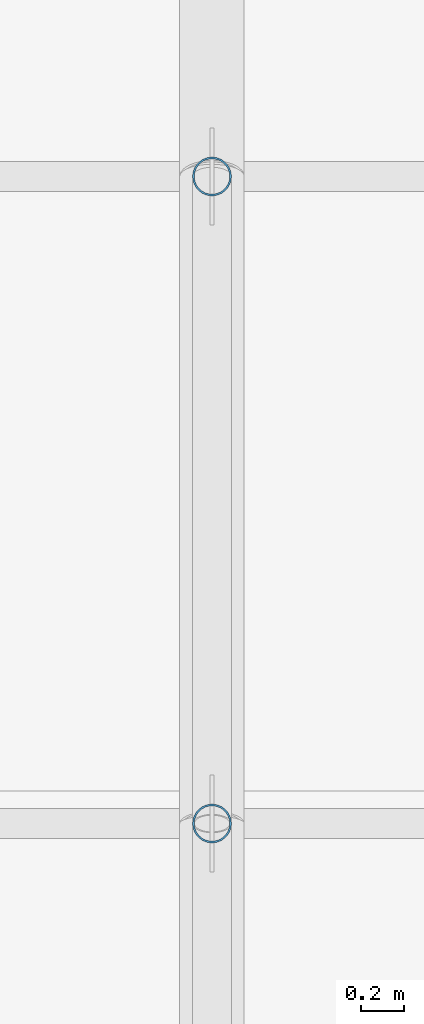
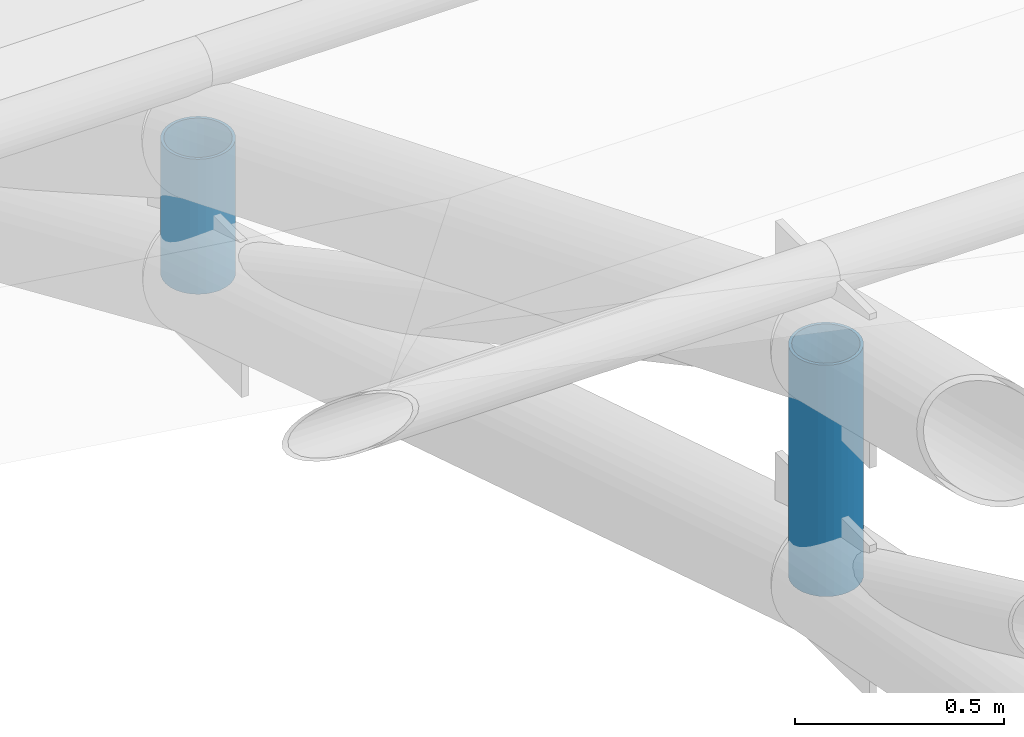
# One storey, part 77 of 163: 2 members.
"""IFC4 building model written with IfcOpenShell, lengths in metres."""

from ifc_helpers import new_model, si_unit, direction, frame, origin, origin_2d, place, context, subcontext, project, spatial, hollow_circle, extrude, material, material_profile, profile_set, type_object, element, save


model = new_model("IFC4")

# Units and contexts
model_context = context("Model", 3, precision=1e-05, world=origin(), true_north=direction((0.0, 1.0)))
body_context = subcontext(model_context, "Body", "Model", "MODEL_VIEW")
ifc_project = project(units=[si_unit("LENGTHUNIT", "METRE"), si_unit("AREAUNIT", "SQUARE_METRE"), si_unit("VOLUMEUNIT", "CUBIC_METRE"), si_unit("PLANEANGLEUNIT", "RADIAN"), si_unit("MASSUNIT", "GRAM", prefix="KILO")], contexts=[model_context])

# Site, building, storey
site_placement = place(None, origin())
site = spatial("IfcSite", under=ifc_project, at=site_placement, CompositionType="ELEMENT")
building_placement = place(site_placement, origin())
building = spatial("IfcBuilding", under=site, at=building_placement, Name="Rain Tree Exposition and Congress Centre", CompositionType="ELEMENT")
storey_placement = place(building_placement, frame((0.0, 0.0, 10.5)))
storey = spatial("IfcBuildingStorey", under=building, at=storey_placement, Name="L02", CompositionType="ELEMENT", Elevation=10.5)

# Members
ifc_material = material(Name="Steel S355J2H", Category="steel")
ifc_material_profile = material_profile(ifc_material, hollow_circle(Radius=0.090087890625, WallThickness=0.008056640625, at=origin_2d()), Name="CHS 180x8")
ifc_profile_set = profile_set([ifc_material_profile], Name="Steel S355J2H")
member_type = type_object("IfcMemberType", Name="Steel post member CHS 180x8", PredefinedType="POST", material=ifc_profile_set)
member_1_placement = place(storey_placement, frame((117.60009765625, 93.60009765625, 2.3798828125), z_axis=(0.0, 0.0, 1.0), x_axis=(1.0, 0.0, 0.0)))
element("IfcMember", 1, at=member_1_placement, inside=storey, type_object=member_type, Name="Roof truss 15 post 6", PredefinedType="POST", context=body_context, shape_type="SweptSolid", body=[
    extrude(hollow_circle(Radius=0.090087890625, WallThickness=0.008056640625, at=origin_2d()), origin(), (0.0, 0.0, 1.0), 0.675048828125),
])
member_2_placement = place(storey_placement, frame((117.60009765625, 96.60009765625, 1.4423828125), z_axis=(0.0, 0.0, 1.0), x_axis=(1.0, 0.0, 0.0)))
element("IfcMember", 2, at=member_2_placement, inside=storey, type_object=member_type, Name="Roof truss 15 post 7", PredefinedType="POST", context=body_context, shape_type="SweptSolid", body=[
    extrude(hollow_circle(Radius=0.090087890625, WallThickness=0.008056640625, at=origin_2d()), origin(), (0.0, 0.0, 1.0), 0.393798828125),
])

save(model, "model.ifc")
